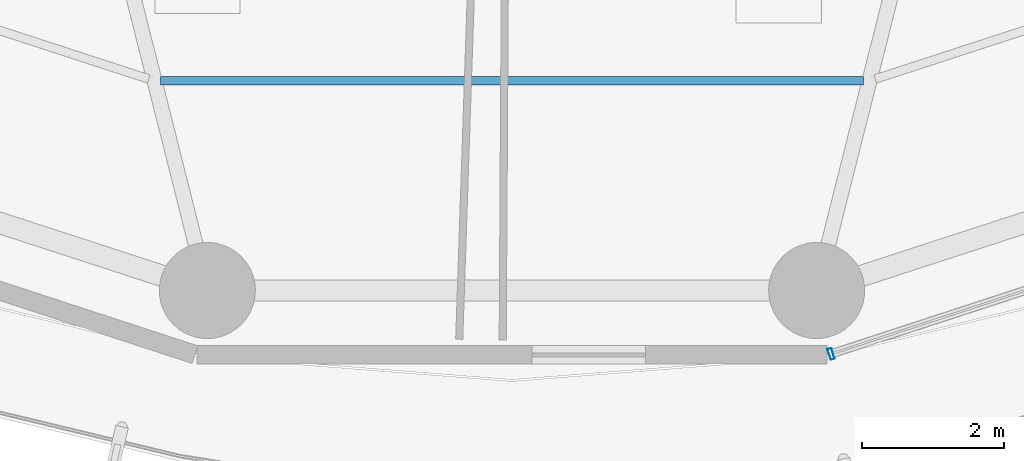
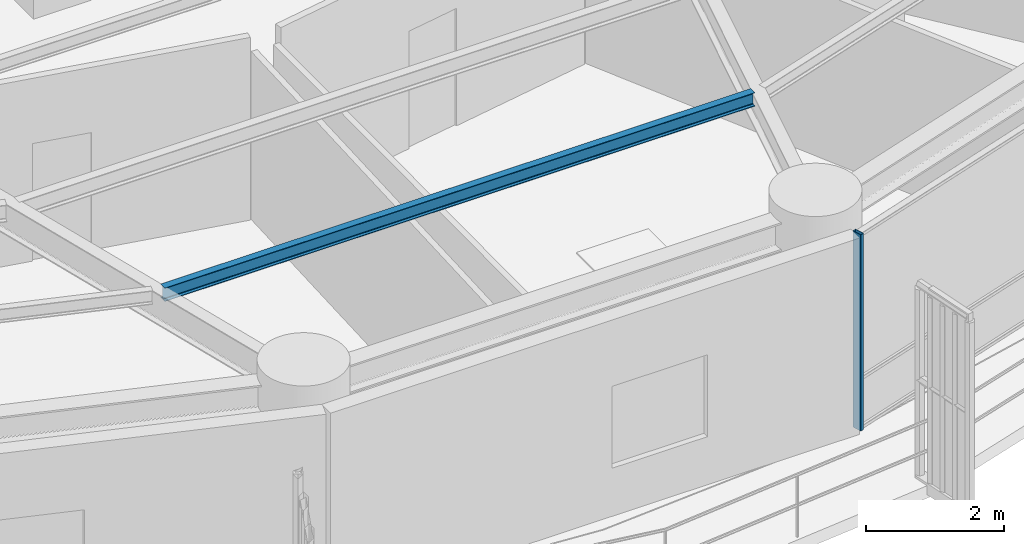
# One storey, part 4 of 36: 1 beam, 1 member, 1 element without a shape of its own.
"""IFC4 building model written with IfcOpenShell, lengths in metres."""

from ifc_helpers import new_model, si_unit, direction, frame, origin, origin_2d, place, context, subcontext, project, spatial, hollow_rectangle, i_section, extrude, material, layer, layer_set, material_profile, profile_set, type_object, element, aggregate, save


model = new_model("IFC4")

# Units and contexts
model_context = context("Model", 3, precision=1e-05, world=origin(), true_north=direction((0.0, 1.0)))
body_context = subcontext(model_context, "Body", "Model", "MODEL_VIEW")
ifc_project = project(units=[si_unit("LENGTHUNIT", "METRE"), si_unit("AREAUNIT", "SQUARE_METRE"), si_unit("VOLUMEUNIT", "CUBIC_METRE"), si_unit("PLANEANGLEUNIT", "RADIAN"), si_unit("MASSUNIT", "GRAM", prefix="KILO")], contexts=[model_context])

# Site, building, storey
site_placement = place(None, origin())
site = spatial("IfcSite", under=ifc_project, at=site_placement, CompositionType="ELEMENT")
building_placement = place(site_placement, origin())
building = spatial("IfcBuilding", under=site, at=building_placement, Name="Kelanora Arch Commons", CompositionType="ELEMENT")
storey_placement = place(building_placement, frame((0.0, 0.0, 98.85009765625)))
storey = spatial("IfcBuildingStorey", under=building, at=storey_placement, Name="L25", CompositionType="ELEMENT", Elevation=98.85009765625)

# Beam
ifc_material_1 = material(Name="Steel S355", Category="steel")
ifc_material_profile_1 = material_profile(ifc_material_1, i_section(OverallWidth=0.1201171875, OverallDepth=0.239990234375, WebThickness=0.006103515625, FlangeThickness=0.009765625, FilletRadius=0.014892578125, at=origin_2d()), Name="IPE240")
ifc_profile_set_1 = profile_set([ifc_material_profile_1], Name="Steel S355")
beam_type = type_object("IfcBeamType", Name="BM-JST-02", PredefinedType="JOIST", material=ifc_profile_set_1)
beam_placement = place(storey_placement, frame((69.056396484375, 39.204345703125, 3.369873046875), z_axis=(1.0, 0.0, 0.0), x_axis=(0.0, 1.0, 0.0)))
element("IfcBeam", 1, at=beam_placement, inside=storey, type_object=beam_type, Name="Secondary Chord Joist BJC-26 L25", PredefinedType="JOIST", context=body_context, shape_type="SweptSolid", body=[
    extrude(i_section(OverallWidth=0.1201171875, OverallDepth=0.239990234375, WebThickness=0.006103515625, FlangeThickness=0.009765625, FilletRadius=0.014892578125, at=origin_2d()), origin(), (0.0, 0.0, 1.0), 9.88720703125),
])

# Curtain wall, member
ifc_material_2 = material(Name="Terracotta ceramic-fritted low-E glass and aluminium", Category="masonry")
ifc_layer = layer(ifc_material_2, 0.159912109375)
ifc_layer_set = layer_set([ifc_layer], Name="Terracotta ceramic-fritted low-E glass and aluminium")
curtain_wall_type = type_object("IfcCurtainWallType", Name="CW-SYS-01", PredefinedType="NOTDEFINED", material=ifc_layer_set)
curtain_wall_placement = place(storey_placement, origin())
curtain_wall = element("IfcCurtainWall", 2, at=curtain_wall_placement, inside=storey, type_object=curtain_wall_type, Name="Unitised Curtain Wall L25-B14", PredefinedType="NOTDEFINED")
ifc_material_3 = material(Name="Powder-coated aluminium terracotta", Category="masonry")
ifc_material_profile_2 = material_profile(ifc_material_3, hollow_rectangle(XDim=0.159912109375, YDim=0.06005859375, WallThickness=0.0048828125, InnerFilletRadius=0.0048828125, OuterFilletRadius=0.010009765625, at=origin_2d()), Name="CWM160x60")
ifc_profile_set_2 = profile_set([ifc_material_profile_2], Name="Powder-coated aluminium terracotta")
member_type = type_object("IfcMemberType", Name="CWM-STD", PredefinedType="MULLION", material=ifc_profile_set_2)
member_placement = place(storey_placement, frame((78.48828125, 35.363525390625, 0.0), z_axis=(0.0, 0.0, 1.0), x_axis=(-0.31080470294, 0.950473795867, 0.0)))
member = element("IfcMember", 3, at=member_placement, type_object=member_type, Name="CW-01 mullion 1", PredefinedType="MULLION", context=body_context, shape_type="SweptSolid", body=[
    extrude(hollow_rectangle(XDim=0.159912109375, YDim=0.06005859375, WallThickness=0.0048828125, InnerFilletRadius=0.0048828125, OuterFilletRadius=0.010009765625, at=origin_2d()), origin(), (0.0, 0.0, 1.0), 3.474853515625),
])
aggregate(curtain_wall, [member])

save(model, "model.ifc")
